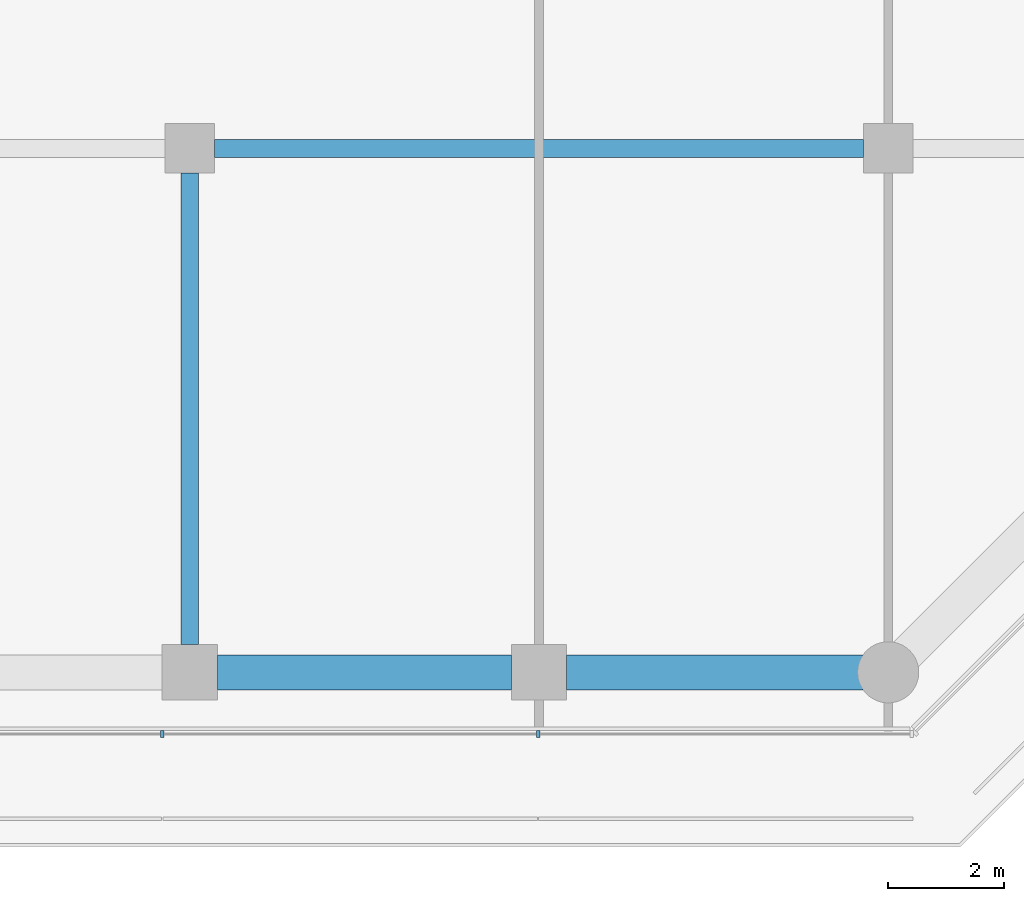
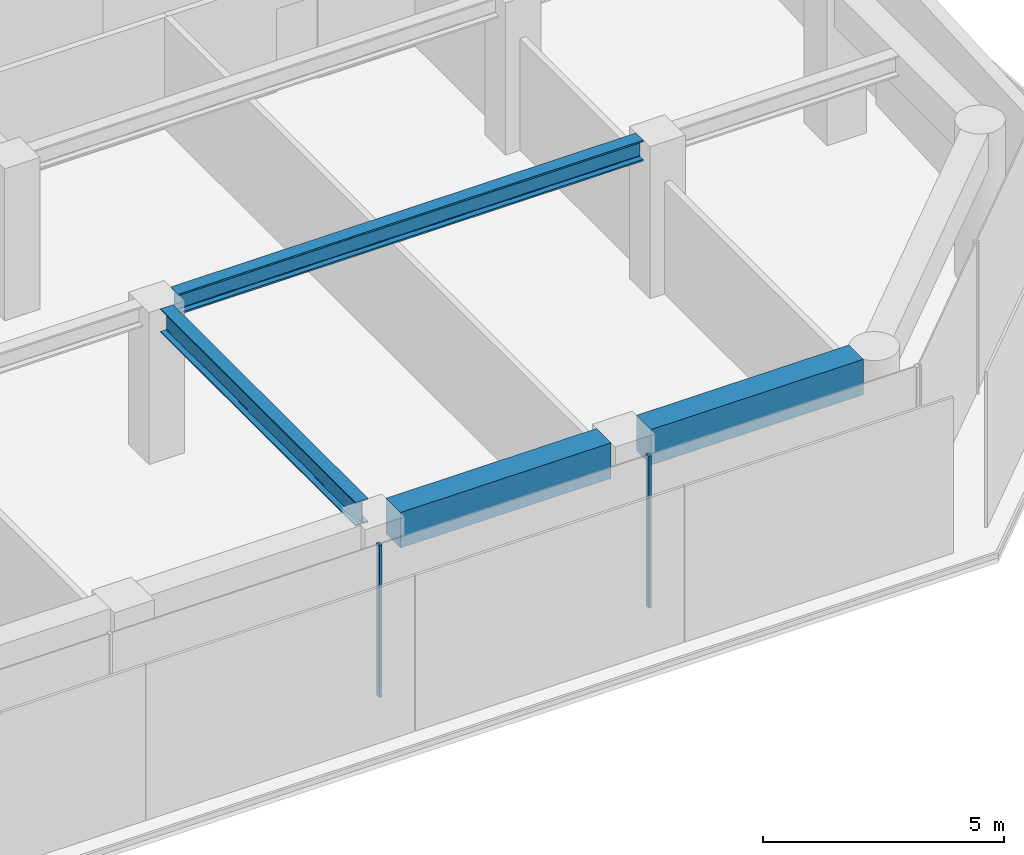
# One storey, part 8 of 29: 4 beams, 2 members, 1 element without a shape of its own.
"""IFC4 building model written with IfcOpenShell, lengths in metres."""

from ifc_helpers import new_model, si_unit, direction, frame, origin, origin_2d, place, context, subcontext, project, spatial, rectangle, i_section, extrude, material, layer, layer_set, material_profile, profile_set, type_object, element, aggregate, save


model = new_model("IFC4")

# Units and contexts
model_context = context("Model", 3, precision=1e-05, world=origin(), true_north=direction((0.0, 1.0)))
body_context = subcontext(model_context, "Body", "Model", "MODEL_VIEW")
ifc_project = project(units=[si_unit("LENGTHUNIT", "METRE"), si_unit("AREAUNIT", "SQUARE_METRE"), si_unit("VOLUMEUNIT", "CUBIC_METRE"), si_unit("PLANEANGLEUNIT", "RADIAN"), si_unit("MASSUNIT", "GRAM", prefix="KILO")], contexts=[model_context])

# Site, building, storey
site_placement = place(None, origin())
site = spatial("IfcSite", under=ifc_project, at=site_placement, CompositionType="ELEMENT")
building_placement = place(site_placement, origin())
building = spatial("IfcBuilding", under=site, at=building_placement, Name="Welwitschia Terrace Campus", CompositionType="ELEMENT")
storey_placement = place(building_placement, frame((0.0, 0.0, 66.800048828125)))
storey = spatial("IfcBuildingStorey", under=building, at=storey_placement, Name="L15", CompositionType="ELEMENT", Elevation=66.800048828125)

# Beam
ifc_material_1 = material(Name="Steel S355", Category="steel")
ifc_material_profile_1 = material_profile(ifc_material_1, i_section(OverallWidth=0.305908203125, OverallDepth=0.52392578125, WebThickness=0.02099609375, FlangeThickness=0.0400390625, FilletRadius=0.027099609375, at=origin_2d()))
ifc_profile_set_1 = profile_set([ifc_material_profile_1], Name="Steel S355")
beam_type_1 = type_object("IfcBeamType", Name="Interior girder HE 500 M", PredefinedType="BEAM", material=ifc_profile_set_1)
beam_1_placement = place(storey_placement, frame((48.425537109375, 5.0, 3.587890625), z_axis=(1.0, 0.0, 0.0), x_axis=(0.0, 1.0, 0.0)))
element("IfcBeam", 1, at=beam_1_placement, inside=storey, type_object=beam_type_1, Name="Girder GB2", PredefinedType="BEAM", context=body_context, shape_type="SweptSolid", body=[
    extrude(i_section(OverallWidth=0.305908203125, OverallDepth=0.52392578125, WebThickness=0.02099609375, FlangeThickness=0.0400390625, FilletRadius=0.027099609375, at=origin_2d()), origin(), (0.0, 0.0, 1.0), 11.14892578125),
])

# Curtain wall, members
ifc_material_2 = material(Name="Bronze anodised aluminium", Category="aluminium")
ifc_layer = layer(ifc_material_2, 0.1201171875)
ifc_layer_set = layer_set([ifc_layer], Name="Bronze anodised aluminium")
curtain_wall_type = type_object("IfcCurtainWallType", Name="Curtain wall CW2 tower 6000", PredefinedType="NOTDEFINED", material=ifc_layer_set)
curtain_wall_placement = place(storey_placement, origin())
curtain_wall = element("IfcCurtainWall", 2, at=curtain_wall_placement, inside=storey, type_object=curtain_wall_type, Name="CW L15.3.0", PredefinedType="NOTDEFINED")
ifc_material_3 = material(Name="Bronze anodised aluminium", Category="aluminium")
ifc_material_profile_2 = material_profile(ifc_material_3, rectangle(XDim=0.1201171875, YDim=0.06005859375, at=origin_2d()))
ifc_profile_set_2 = profile_set([ifc_material_profile_2], Name="Bronze anodised aluminium")
member_type = type_object("IfcMemberType", Name="Mullion 60x120", PredefinedType="MULLION", material=ifc_profile_set_2)
member_1_placement = place(storey_placement, frame((47.529052734375, -5.05810546875, 0.0), z_axis=(0.0, 0.0, 1.0), x_axis=(0.0, 1.0, 0.0)))
member_1 = element("IfcMember", 3, at=member_1_placement, type_object=member_type, Name="Mullion L15.3.0.3", PredefinedType="MULLION", context=body_context, shape_type="SweptSolid", body=[
    extrude(rectangle(XDim=0.1201171875, YDim=0.06005859375, at=origin_2d()), origin(), (0.0, 0.0, 1.0), 3.849853515625),
])
member_2_placement = place(storey_placement, frame((53.983642578125, -5.05810546875, 0.0), z_axis=(0.0, 0.0, 1.0), x_axis=(0.0, 1.0, 0.0)))
member_2 = element("IfcMember", 4, at=member_2_placement, type_object=member_type, Name="Mullion L15.3.0.4", PredefinedType="MULLION", context=body_context, shape_type="SweptSolid", body=[
    extrude(rectangle(XDim=0.1201171875, YDim=0.06005859375, at=origin_2d()), origin(), (0.0, 0.0, 1.0), 3.849853515625),
])
aggregate(curtain_wall, [member_1, member_2])

# Beams
ifc_material_4 = material(Name="Steel S355", Category="steel")
ifc_material_profile_3 = material_profile(ifc_material_4, i_section(OverallWidth=0.300048828125, OverallDepth=0.60009765625, WebThickness=0.015380859375, FlangeThickness=0.030029296875, FilletRadius=0.027099609375, at=origin_2d()))
ifc_profile_set_3 = profile_set([ifc_material_profile_3], Name="Steel S355")
beam_type_2 = type_object("IfcBeamType", Name="Primary beam HE 600 B", PredefinedType="BEAM", material=ifc_profile_set_3)
beam_2_placement = place(storey_placement, frame((48.0, -3.5244140625, 3.550048828125), z_axis=(0.0, 1.0, 0.0), x_axis=(-1.0, 0.0, 0.0)))
element("IfcBeam", 5, at=beam_2_placement, inside=storey, type_object=beam_type_2, Name="Primary beam PB2", PredefinedType="BEAM", context=body_context, shape_type="SweptSolid", body=[
    extrude(i_section(OverallWidth=0.300048828125, OverallDepth=0.60009765625, WebThickness=0.015380859375, FlangeThickness=0.030029296875, FilletRadius=0.027099609375, at=origin_2d()), origin(), (0.0, 0.0, 1.0), 8.098876953125),
])
ifc_material_5 = material(Name="Concrete C60/75", Category="concrete")
ifc_material_profile_4 = material_profile(ifc_material_5, rectangle(XDim=0.60009765625, YDim=0.89990234375, at=origin_2d()))
ifc_profile_set_4 = profile_set([ifc_material_profile_4], Name="Concrete C60/75")
beam_type_3 = type_object("IfcBeamType", Name="Ring spandrel 600x900", PredefinedType="SPANDREL", material=ifc_profile_set_4)
beam_3_placement = place(storey_placement, frame((48.4755859375, -4.0, 3.39990234375), z_axis=(1.0, 0.0, 0.0), x_axis=(0.0, 1.0, 0.0)))
element("IfcBeam", 6, at=beam_3_placement, inside=storey, type_object=beam_type_3, Name="Spandrel SP2", PredefinedType="SPANDREL", context=body_context, shape_type="SweptSolid", body=[
    extrude(rectangle(XDim=0.60009765625, YDim=0.89990234375, at=origin_2d()), origin(), (0.0, 0.0, 1.0), 5.048828125),
])
beam_4_placement = place(storey_placement, frame((54.4755859375, -4.0, 3.39990234375), z_axis=(1.0, 0.0, 0.0), x_axis=(0.0, 1.0, 0.0)))
element("IfcBeam", 7, at=beam_4_placement, inside=storey, type_object=beam_type_3, Name="Spandrel SP2", PredefinedType="SPANDREL", context=body_context, shape_type="SweptSolid", body=[
    extrude(rectangle(XDim=0.60009765625, YDim=0.89990234375, at=origin_2d()), origin(), (0.0, 0.0, 1.0), 5.093017578125),
])

save(model, "model.ifc")
